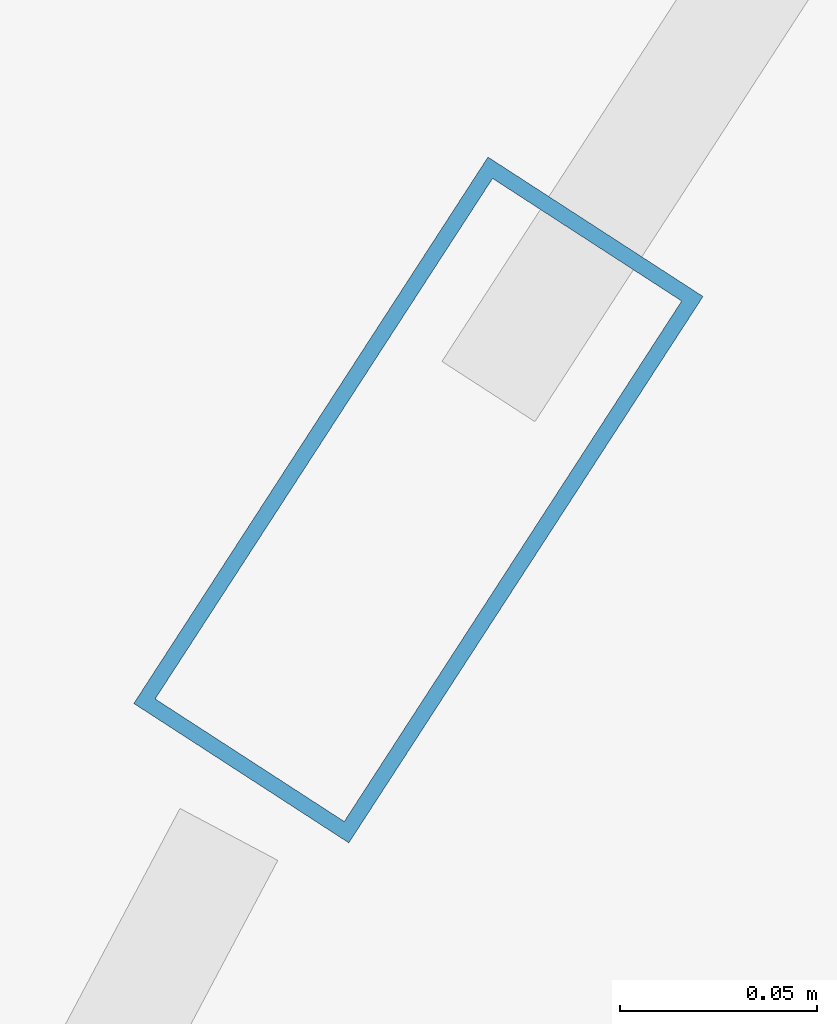
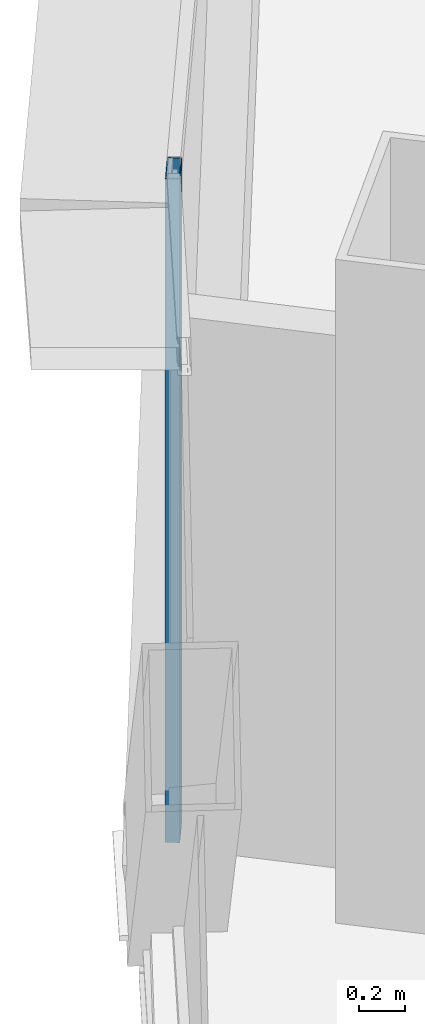
# One storey, part 16 of 41: 1 member, 1 element without a shape of its own.
"""IFC4 building model written with IfcOpenShell, lengths in metres."""

from ifc_helpers import new_model, si_unit, direction, frame, origin, origin_2d, place, context, subcontext, project, spatial, hollow_rectangle, extrude, source, transform, mapped, material, layer, layer_set, material_profile, profile_set, type_object, element, aggregate, save


model = new_model("IFC4")

# Units and contexts
model_context = context("Model", 3, precision=1e-05, world=origin(), true_north=direction((0.0, 1.0)))
body_context = subcontext(model_context, "Body", "Model", "MODEL_VIEW")
ifc_project = project(units=[si_unit("LENGTHUNIT", "METRE"), si_unit("AREAUNIT", "SQUARE_METRE"), si_unit("VOLUMEUNIT", "CUBIC_METRE"), si_unit("PLANEANGLEUNIT", "RADIAN"), si_unit("MASSUNIT", "GRAM", prefix="KILO"), si_unit("THERMODYNAMICTEMPERATUREUNIT", "KELVIN"), si_unit("POWERUNIT", "WATT")], contexts=[model_context])

# Site, building, storey
site_placement = place(None, origin())
site = spatial("IfcSite", under=ifc_project, at=site_placement, CompositionType="ELEMENT")
building_placement = place(site_placement, origin())
building = spatial("IfcBuilding", under=site, at=building_placement, Name="Yunzhuo Pagoda Commons", CompositionType="ELEMENT")
storey_placement = place(building_placement, frame((0.0, 0.0, 111.580078125)))
storey = spatial("IfcBuildingStorey", under=building, at=storey_placement, Name="L28", CompositionType="ELEMENT", Elevation=111.580078125)

# Curtain wall, member
ifc_material = material(Name="Anodized aluminium 6063-T6", Category="aluminium")
ifc_layer = layer(ifc_material, 0.1650390625)
ifc_layer_set = layer_set([ifc_layer], Name="Anodized aluminium 6063-T6")
curtain_wall_type = type_object("IfcCurtainWallType", Name="CW-LOW Low-Zone Ribbon Curtain Wall", PredefinedType="NOTDEFINED", material=ifc_layer_set)
curtain_wall_placement = place(storey_placement, origin())
curtain_wall = element("IfcCurtainWall", 1, at=curtain_wall_placement, inside=storey, type_object=curtain_wall_type, Name="L28 curtain wall CW-L28-F3B2", PredefinedType="NOTDEFINED")
ifc_material_profile = material_profile(ifc_material, hollow_rectangle(XDim=0.06494140625, YDim=0.1650390625, WallThickness=0.00390625, at=origin_2d()), Name="Anodized aluminium 6063-T6")
ifc_profile_set = profile_set([ifc_material_profile], Name="Anodized aluminium 6063-T6")
member_type = type_object("IfcMemberType", Name="CW-LOW-M Mullion RHS 165x65x4", PredefinedType="MULLION", material=ifc_profile_set)
shared_shape = source(origin(), body_context, "Body", "SweptSolid", [
    extrude(hollow_rectangle(XDim=0.06494140625, YDim=0.1650390625, WallThickness=0.00390625, at=origin_2d()), origin(), (0.0, 0.0, 1.0), 3.5400390625),
])
member_placement = place(storey_placement, frame((22.425537109375, 56.7705078125, 0.0), z_axis=(0.0, 0.0, 1.0), x_axis=(0.839105842503, -0.543968183884, 0.0)))
member = element("IfcMember", 2, at=member_placement, type_object=member_type, Name="CW mullion 2", PredefinedType="MULLION", context=body_context, shape_type="MappedRepresentation", body=[
    mapped(shared_shape, transform((0.0, 0.0, 0.0), scale=1.0)),
])
aggregate(curtain_wall, [member])

save(model, "model.ifc")
